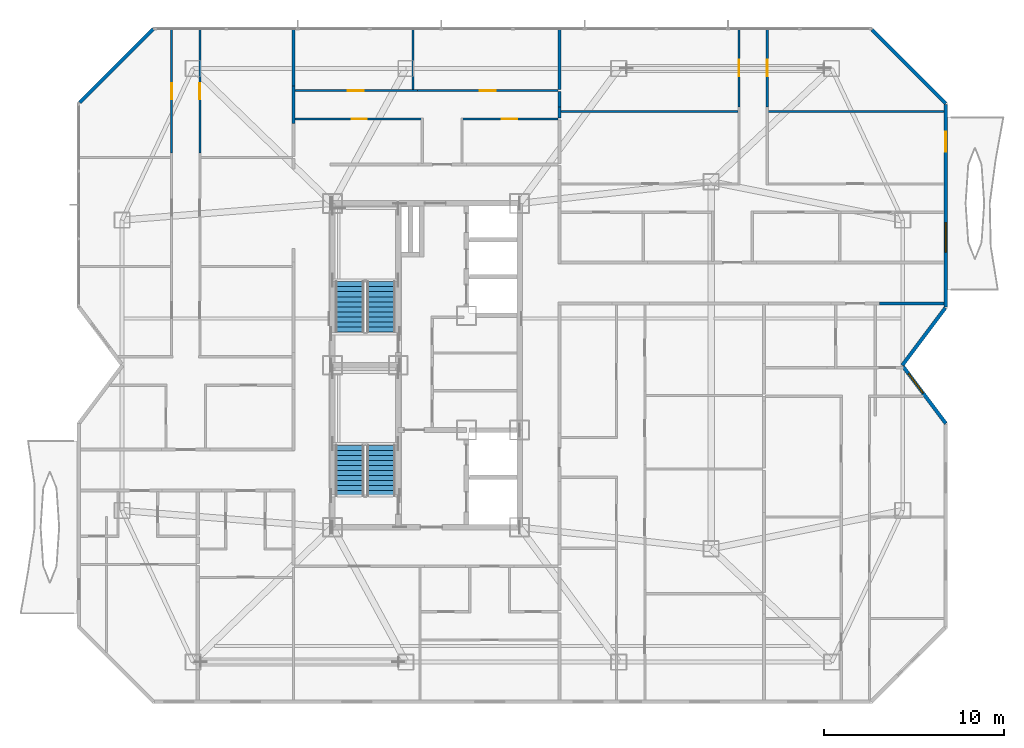
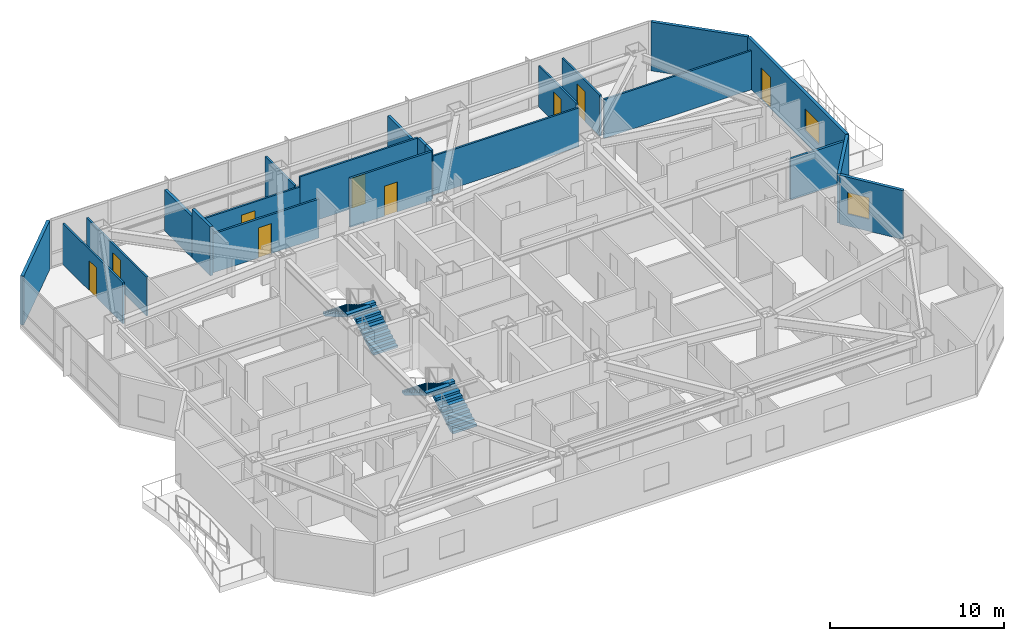
# One storey, part 19 of 21: 22 walls, 9 doors, 4 stair flights, 2 windows, 11 openings, 2 elements without a shape of their own.
"""IFC4 building model written with IfcOpenShell, lengths in metres."""

from ifc_helpers import new_model, si_unit, direction, frame, frame_2d, origin, place, context, subcontext, project, spatial, polyline, rectangle, outline, extrude, material, layer, layer_set, type_object, element, fill, aggregate, save


model = new_model("IFC4")

# Units and contexts
model_context = context("Model", 3, precision=1e-05, world=origin(), true_north=direction((0.0, 1.0)))
body_context = subcontext(model_context, "Body", "Model", "MODEL_VIEW")
ifc_project = project(units=[si_unit("LENGTHUNIT", "METRE"), si_unit("AREAUNIT", "SQUARE_METRE"), si_unit("VOLUMEUNIT", "CUBIC_METRE"), si_unit("PLANEANGLEUNIT", "RADIAN"), si_unit("MASSUNIT", "GRAM", prefix="KILO")], contexts=[model_context])

# Site, building, storey
site_placement = place(None, origin())
site = spatial("IfcSite", under=ifc_project, at=site_placement, CompositionType="ELEMENT")
building_placement = place(site_placement, origin())
building = spatial("IfcBuilding", under=site, at=building_placement, Name="Khamvora Tower", CompositionType="ELEMENT")
storey_placement = place(building_placement, frame((0.0, 0.0, 159.550048828125)))
storey = spatial("IfcBuildingStorey", under=building, at=storey_placement, Name="L40", CompositionType="ELEMENT", Elevation=159.550048828125)

# Walls
ifc_material_1 = material(Name="Fire-Rated Drywall and Steel Stud", Category="steel")
ifc_layer_1 = layer(ifc_material_1, 0.14990234375)
ifc_layer_set_1 = layer_set([ifc_layer_1], Name="Fire-Rated Drywall and Steel Stud")
wall_type_1 = type_object("IfcWallType", Name="WAL-CORR-150", PredefinedType="STANDARD", material=ifc_layer_set_1)
wall_1_placement = place(storey_placement, frame((63.008056640625, 31.43505859375, 0.0), z_axis=(0.0, 0.0, 1.0), x_axis=(-1.0, 0.0, 0.0)))
element("IfcWall", 1, at=wall_1_placement, inside=storey, type_object=wall_type_1, Name="L40 interior partition wall 036", PredefinedType="STANDARD", context=body_context, shape_type="SweptSolid", body=[
    extrude(rectangle(XDim=3.589111328125, YDim=0.14990234375, at=frame_2d((1.79443359375, 0.0))), origin(), (0.0, 0.0, 1.0), 2.8759765625),
])
ifc_material_2 = material(Name="Acoustic Double-Stud Fire Wall", Category="gypsum")
ifc_layer_2 = layer(ifc_material_2, 0.179931640625)
ifc_layer_set_2 = layer_set([ifc_layer_2], Name="Acoustic Double-Stud Fire Wall")
wall_type_2 = type_object("IfcWallType", Name="WAL-CORR-180", PredefinedType="STANDARD", material=ifc_layer_set_2)
wall_2_placement = place(storey_placement, frame((26.8349609375, 43.52392578125, 0.0), z_axis=(0.0, 0.0, 1.0), x_axis=(0.0, -1.0, 0.0)))
element("IfcWall", 2, at=wall_2_placement, inside=storey, type_object=wall_type_2, Name="L40 interior partition wall 084", PredefinedType="STANDARD", context=body_context, shape_type="SweptSolid", body=[
    extrude(rectangle(XDim=2.077880859375, YDim=0.179931640625, at=frame_2d((1.0390625, 0.0))), origin(), (0.0, 0.0, 1.0), 3.429931640625),
])
wall_3_placement = place(storey_placement, frame((26.8349609375, 46.68994140625, 0.0), z_axis=(0.0, 0.0, 1.0), x_axis=(0.0, -1.0, 0.0)))
element("IfcWall", 3, at=wall_3_placement, inside=storey, type_object=wall_type_2, Name="L40 interior partition wall 086", PredefinedType="STANDARD", context=body_context, shape_type="SweptSolid", body=[
    extrude(rectangle(XDim=3.166015625, YDim=0.179931640625, at=frame_2d((1.5830078125, 0.0))), origin(), (0.0, 0.0, 1.0), 2.8759765625),
])
wall_4_placement = place(storey_placement, frame((41.614990234375, 42.367919921875, 0.0), z_axis=(0.0, 0.0, 1.0), x_axis=(0.0, -1.0, 0.0)))
element("IfcWall", 4, at=wall_4_placement, inside=storey, type_object=wall_type_2, Name="L40 interior partition wall 101", PredefinedType="STANDARD", context=body_context, shape_type="SweptSolid", body=[
    extrude(rectangle(XDim=0.60791015625, YDim=0.179931640625, at=frame_2d((0.303955078125, 0.0))), origin(), (0.0, 0.0, 1.0), 3.429931640625),
])
wall_5_placement = place(storey_placement, frame((41.614990234375, 43.2099609375, 0.0), z_axis=(0.0, 0.0, 1.0), x_axis=(0.0, -1.0, 0.0)))
element("IfcWall", 5, at=wall_5_placement, inside=storey, type_object=wall_type_2, Name="L40 interior partition wall 102", PredefinedType="STANDARD", context=body_context, shape_type="SweptSolid", body=[
    extrude(rectangle(XDim=0.842041015625, YDim=0.179931640625, at=frame_2d((0.4208984375, 0.0))), origin(), (0.0, 0.0, 1.0), 3.429931640625),
])
wall_6_placement = place(storey_placement, frame((41.614990234375, 46.68994140625, 0.0), z_axis=(0.0, 0.0, 1.0), x_axis=(0.0, -1.0, 0.0)))
element("IfcWall", 6, at=wall_6_placement, inside=storey, type_object=wall_type_2, Name="L40 interior partition wall 105", PredefinedType="STANDARD", context=body_context, shape_type="SweptSolid", body=[
    extrude(rectangle(XDim=3.349853515625, YDim=0.179931640625, at=frame_2d((1.6748046875, 0.0))), origin(), (0.0, 0.0, 1.0), 2.8759765625),
])
ifc_material_3 = material(Name="Precast concrete C40/50", Category="concrete")
ifc_layer_3 = layer(ifc_material_3, 0.199951171875)
ifc_layer_set_3 = layer_set([ifc_layer_3], Name="Precast concrete C40/50")
wall_type_3 = type_object("IfcWallType", Name="WAL-EXT-200", PredefinedType="STANDARD", material=ifc_layer_set_3)
wall_7_placement = place(storey_placement, frame((14.945068359375, 42.60400390625, 0.0), z_axis=(0.0, 0.0, 1.0), x_axis=(0.707106781187, 0.707106781187, 0.0)))
element("IfcWall", 7, at=wall_7_placement, inside=storey, type_object=wall_type_3, Name="L40 exterior facade wall 06.1", PredefinedType="STANDARD", context=body_context, shape_type="SweptSolid", body=[
    extrude(rectangle(XDim=5.79248046875, YDim=0.199951171875, at=frame_2d((2.896240234375, 0.0))), origin(), (0.0, 0.0, 1.0), 3.429931640625),
])
wall_8_placement = place(storey_placement, frame((59.0029296875, 46.656005859375, 0.0), z_axis=(0.0, 0.0, 1.0), x_axis=(0.707127848917, -0.707085712828, 0.0)))
element("IfcWall", 8, at=wall_8_placement, inside=storey, type_object=wall_type_3, Name="L40 exterior facade wall 08.1", PredefinedType="STANDARD", context=body_context, shape_type="SweptSolid", body=[
    extrude(rectangle(XDim=5.794189453125, YDim=0.199951171875, at=frame_2d((2.89697265625, 0.0))), origin(), (0.0, 0.0, 1.0), 3.429931640625),
])

# Wall, openings, door, window
wall_9_placement = place(storey_placement, frame((63.10009765625, 42.49609375, 0.0), z_axis=(0.0, 0.0, 1.0), x_axis=(0.0, -1.0, 0.0)))
wall_9 = element("IfcWall", 9, at=wall_9_placement, inside=storey, type_object=wall_type_3, Name="L40 exterior facade wall 09.1", PredefinedType="STANDARD", context=body_context, shape_type="SweptSolid", body=[
    extrude(rectangle(XDim=11.26318359375, YDim=0.199951171875, at=frame_2d((5.631591796875, 0.0))), origin(), (0.0, 0.0, 1.0), 3.429931640625),
])
opening_1_placement = place(wall_9_placement, frame((1.52490234375, 0.0, 0.0)))
opening_1 = element("IfcOpeningElement", 10, at=opening_1_placement, cuts=wall_9, Name="Opening BD-01", PredefinedType="OPENING", context=body_context, shape_type="SweptSolid", body=[
    extrude(rectangle(XDim=1.10009765625, YDim=2.199951171875, at=frame_2d((0.550048828125, 1.10009765625))), frame((0.0, 0.10986328125, 0.0), z_axis=(0.0, -1.0, 0.0), x_axis=(1.0, 0.0, 0.0)), (0.0, 0.0, 1.0), 0.219970703125),
])
opening_2_placement = place(wall_9_placement, frame((6.55908203125, 0.0, 0.85009765625)))
opening_2 = element("IfcOpeningElement", 11, at=opening_2_placement, cuts=wall_9, Name="Opening WN-06", PredefinedType="OPENING", context=body_context, shape_type="SweptSolid", body=[
    extrude(rectangle(XDim=1.64990234375, YDim=1.550048828125, at=frame_2d((0.824951171875, 0.77490234375))), frame((0.0, 0.10986328125, 0.0), z_axis=(0.0, -1.0, 0.0), x_axis=(1.0, 0.0, 0.0)), (0.0, 0.0, 1.0), 0.219970703125),
])
ifc_material_4 = material(Name="Anodised Aluminium and Laminated Safety Glass", Category="aluminium")
door_type_1 = type_object("IfcDoorType", Name="DOR-BAL-1100", OperationType="NOTDEFINED", PredefinedType="DOOR", material=ifc_material_4)
door_1_placement = place(opening_1_placement, origin())
door_1 = element("IfcDoor", 12, at=door_1_placement, inside=storey, type_object=door_type_1, Name="L40 lens gallery balcony door EL2", OperationType="SLIDING_TO_LEFT", OverallHeight=2.199951171875, OverallWidth=1.10009765625, PredefinedType="DOOR", context=body_context, shape_type="SweptSolid", body=[
    extrude(rectangle(XDim=1.10009765625, YDim=2.199951171875, at=frame_2d((0.550048828125, 1.10009765625))), frame((0.0, 0.02490234375, 0.0), z_axis=(0.0, -1.0, 0.0), x_axis=(1.0, 0.0, 0.0)), (0.0, 0.0, 1.0), 0.050048828125),
])
fill(opening_1, door_1)
ifc_material_5 = material(Name="Low-E Laminated Double Glazing", Category="glass")
window_type_1 = type_object("IfcWindowType", Name="WIN-VIS-1650x1550", PartitioningType="SINGLE_PANEL", PredefinedType="WINDOW", material=ifc_material_5)
window_1_placement = place(opening_2_placement, origin())
window_1 = element("IfcWindow", 13, at=window_1_placement, inside=storey, type_object=window_type_1, Name="L40 vision window 09.1.01", OverallHeight=1.550048828125, OverallWidth=1.64990234375, PartitioningType="SINGLE_PANEL", PredefinedType="WINDOW", context=body_context, shape_type="SweptSolid", body=[
    extrude(rectangle(XDim=1.64990234375, YDim=1.550048828125, at=frame_2d((0.824951171875, 0.77490234375))), frame((0.0, 0.030029296875, 0.0), z_axis=(0.0, -1.0, 0.0), x_axis=(1.0, 0.0, 0.0)), (0.0, 0.0, 1.0), 0.06005859375),
])
fill(opening_2, window_1)

# Wall
wall_10_placement = place(storey_placement, frame((63.069091796875, 31.19091796875, 0.0), z_axis=(0.0, 0.0, 1.0), x_axis=(-0.600137081448, -0.799897170561, 0.0)))
element("IfcWall", 14, at=wall_10_placement, inside=storey, type_object=wall_type_3, Name="L40 exterior facade wall 10.1", PredefinedType="STANDARD", context=body_context, shape_type="SweptSolid", body=[
    extrude(rectangle(XDim=3.9892578125, YDim=0.199951171875, at=frame_2d((1.99462890625, 0.0))), origin(), (0.0, 0.0, 1.0), 3.429931640625),
])

# Wall, opening, window
wall_11_placement = place(storey_placement, frame((60.72705078125, 27.930908203125, 0.0), z_axis=(0.0, 0.0, 1.0), x_axis=(0.600029630681, -0.799977776132, 0.0)))
wall_11 = element("IfcWall", 15, at=wall_11_placement, inside=storey, type_object=wall_type_3, Name="L40 exterior facade wall 11.1", PredefinedType="STANDARD", context=body_context, shape_type="SweptSolid", body=[
    extrude(rectangle(XDim=3.954833984375, YDim=0.199951171875, at=frame_2d((1.9775390625, 0.0))), origin(), (0.0, 0.0, 1.0), 3.429931640625),
])
opening_3_placement = place(wall_11_placement, frame((0.489990234375, 0.0, 0.85009765625)))
opening_3 = element("IfcOpeningElement", 16, at=opening_3_placement, cuts=wall_11, Name="Opening WN-07", PredefinedType="OPENING", context=body_context, shape_type="SweptSolid", body=[
    extrude(rectangle(XDim=1.35009765625, YDim=1.5, at=frame_2d((0.675048828125, 0.75))), frame((0.0, 0.10986328125, 0.0), z_axis=(0.0, -1.0, 0.0), x_axis=(1.0, 0.0, 0.0)), (0.0, 0.0, 1.0), 0.219970703125),
])
window_type_2 = type_object("IfcWindowType", Name="WIN-VIS-1350x1500", PartitioningType="SINGLE_PANEL", PredefinedType="WINDOW", material=ifc_material_5)
window_2_placement = place(opening_3_placement, origin())
window_2 = element("IfcWindow", 17, at=window_2_placement, inside=storey, type_object=window_type_2, Name="L40 vision window 11.1.01", OverallHeight=1.5, OverallWidth=1.35009765625, PartitioningType="SINGLE_PANEL", PredefinedType="WINDOW", context=body_context, shape_type="SweptSolid", body=[
    extrude(rectangle(XDim=1.35009765625, YDim=1.5, at=frame_2d((0.675048828125, 0.75))), frame((0.0, 0.030029296875, 0.0), z_axis=(0.0, -1.0, 0.0), x_axis=(1.0, 0.0, 0.0)), (0.0, 0.0, 1.0), 0.06005859375),
])
fill(opening_3, window_2)

# Wall, opening, door
ifc_material_6 = material(Name="Gypsum Plasterboard Partition", Category="gypsum")
ifc_layer_4 = layer(ifc_material_6, 0.1201171875)
ifc_layer_set_4 = layer_set([ifc_layer_4], Name="Gypsum Plasterboard Partition")
wall_type_4 = type_object("IfcWallType", Name="WAL-PART-120", PredefinedType="PARTITIONING", material=ifc_layer_set_4)
wall_12_placement = place(storey_placement, frame((20.054931640625, 39.798095703125, 0.0), z_axis=(0.0, 0.0, 1.0), x_axis=(0.0, 1.0, 0.0)))
wall_12 = element("IfcWall", 18, at=wall_12_placement, inside=storey, type_object=wall_type_4, Name="L40 interior partition wall 074", PredefinedType="PARTITIONING", context=body_context, shape_type="SweptSolid", body=[
    extrude(rectangle(XDim=6.891845703125, YDim=0.1201171875, at=frame_2d((3.44580078125, 0.0))), origin(), (0.0, 0.0, 1.0), 2.8759765625),
])
opening_4_placement = place(wall_12_placement, frame((2.99609375, 0.0, 0.0)))
opening_4 = element("IfcOpeningElement", 19, at=opening_4_placement, cuts=wall_12, Name="Opening D-RM1", PredefinedType="OPENING", context=body_context, shape_type="SweptSolid", body=[
    extrude(rectangle(XDim=0.89990234375, YDim=2.10009765625, at=frame_2d((0.449951171875, 1.050048828125))), frame((0.0, 0.070068359375, 0.0), z_axis=(0.0, -1.0, 0.0), x_axis=(1.0, 0.0, 0.0)), (0.0, 0.0, 1.0), 0.14013671875),
])
ifc_material_7 = material(Name="Powder-Coated Steel and Hardwood Leaf", Category="steel")
door_type_2 = type_object("IfcDoorType", Name="DOR-ROOM-900", OperationType="NOTDEFINED", PredefinedType="DOOR", material=ifc_material_7)
door_2_placement = place(opening_4_placement, origin())
door_2 = element("IfcDoor", 20, at=door_2_placement, inside=storey, type_object=door_type_2, Name="L40 interior door 40WCH-40WCR3", OperationType="SINGLE_SWING_LEFT", OverallHeight=2.10009765625, OverallWidth=0.89990234375, PredefinedType="DOOR", context=body_context, shape_type="SweptSolid", body=[
    extrude(rectangle(XDim=0.89990234375, YDim=2.10009765625, at=frame_2d((0.449951171875, 1.050048828125))), frame((0.0, 0.02490234375, 0.0), z_axis=(0.0, -1.0, 0.0), x_axis=(1.0, 0.0, 0.0)), (0.0, 0.0, 1.0), 0.050048828125),
])
fill(opening_4, door_2)

wall_13_placement = place(storey_placement, frame((21.625, 46.68994140625, 0.0), z_axis=(0.0, 0.0, 1.0), x_axis=(0.0, -1.0, 0.0)))
wall_13 = element("IfcWall", 21, at=wall_13_placement, inside=storey, type_object=wall_type_4, Name="L40 interior partition wall 078", PredefinedType="PARTITIONING", context=body_context, shape_type="SweptSolid", body=[
    extrude(rectangle(XDim=6.891845703125, YDim=0.1201171875, at=frame_2d((3.44580078125, 0.0))), origin(), (0.0, 0.0, 1.0), 2.724853515625),
])
opening_5_placement = place(wall_13_placement, frame((2.99609375, 0.0, 0.0)))
opening_5 = element("IfcOpeningElement", 22, at=opening_5_placement, cuts=wall_13, Name="Opening D-RM1", PredefinedType="OPENING", context=body_context, shape_type="SweptSolid", body=[
    extrude(rectangle(XDim=0.89990234375, YDim=2.10009765625, at=frame_2d((0.449951171875, 1.050048828125))), frame((0.0, 0.070068359375, 0.0), z_axis=(0.0, -1.0, 0.0), x_axis=(1.0, 0.0, 0.0)), (0.0, 0.0, 1.0), 0.14013671875),
])
door_3_placement = place(opening_5_placement, origin())
door_3 = element("IfcDoor", 23, at=door_3_placement, inside=storey, type_object=door_type_2, Name="L40 interior door 40WCH-40WCR6", OperationType="SINGLE_SWING_RIGHT", OverallHeight=2.10009765625, OverallWidth=0.89990234375, PredefinedType="DOOR", context=body_context, shape_type="SweptSolid", body=[
    extrude(rectangle(XDim=0.89990234375, YDim=2.10009765625, at=frame_2d((0.449951171875, 1.050048828125))), frame((0.0, 0.02490234375, 0.0), z_axis=(0.0, -1.0, 0.0), x_axis=(1.0, 0.0, 0.0)), (0.0, 0.0, 1.0), 0.050048828125),
])
fill(opening_5, door_3)

wall_14_placement = place(storey_placement, frame((26.9169921875, 43.27490234375, 0.0), z_axis=(0.0, 0.0, 1.0), x_axis=(1.0, 0.0, 0.0)))
wall_14 = element("IfcWall", 24, at=wall_14_placement, inside=storey, type_object=wall_type_4, Name="L40 interior partition wall 099", PredefinedType="PARTITIONING", context=body_context, shape_type="SweptSolid", body=[
    extrude(rectangle(XDim=6.802001953125, YDim=0.1201171875, at=frame_2d((3.40087890625, 0.0))), origin(), (0.0, 0.0, 1.0), 2.724853515625),
])
opening_6_placement = place(wall_14_placement, frame((2.929931640625, 0.0, 0.0)))
opening_6 = element("IfcOpeningElement", 25, at=opening_6_placement, cuts=wall_14, Name="Opening D-RM1", PredefinedType="OPENING", context=body_context, shape_type="SweptSolid", body=[
    extrude(rectangle(XDim=0.89990234375, YDim=2.10009765625, at=frame_2d((0.449951171875, 1.050048828125))), frame((0.0, 0.070068359375, 0.0), z_axis=(0.0, -1.0, 0.0), x_axis=(1.0, 0.0, 0.0)), (0.0, 0.0, 1.0), 0.14013671875),
])
door_4_placement = place(opening_6_placement, origin())
door_4 = element("IfcDoor", 26, at=door_4_placement, inside=storey, type_object=door_type_2, Name="L40 interior door 40NAH-40NAL", OperationType="SINGLE_SWING_RIGHT", OverallHeight=2.10009765625, OverallWidth=0.89990234375, PredefinedType="DOOR", context=body_context, shape_type="SweptSolid", body=[
    extrude(rectangle(XDim=0.89990234375, YDim=2.10009765625, at=frame_2d((0.449951171875, 1.050048828125))), frame((0.0, 0.02490234375, 0.0), z_axis=(0.0, -1.0, 0.0), x_axis=(1.0, 0.0, 0.0)), (0.0, 0.0, 1.0), 0.050048828125),
])
fill(opening_6, door_4)

wall_15_placement = place(storey_placement, frame((33.718994140625, 43.27490234375, 0.0), z_axis=(0.0, 0.0, 1.0), x_axis=(1.0, 0.0, 0.0)))
wall_15 = element("IfcWall", 27, at=wall_15_placement, inside=storey, type_object=wall_type_4, Name="L40 interior partition wall 100", PredefinedType="PARTITIONING", context=body_context, shape_type="SweptSolid", body=[
    extrude(rectangle(XDim=7.8310546875, YDim=0.1201171875, at=frame_2d((3.91552734375, 0.0))), origin(), (0.0, 0.0, 1.0), 3.429931640625),
])
opening_7_placement = place(wall_15_placement, frame((3.466064453125, 0.0, 0.0)))
opening_7 = element("IfcOpeningElement", 28, at=opening_7_placement, cuts=wall_15, Name="Opening D-RM1", PredefinedType="OPENING", context=body_context, shape_type="SweptSolid", body=[
    extrude(rectangle(XDim=0.89990234375, YDim=2.10009765625, at=frame_2d((0.449951171875, 1.050048828125))), frame((0.0, 0.070068359375, 0.0), z_axis=(0.0, -1.0, 0.0), x_axis=(1.0, 0.0, 0.0)), (0.0, 0.0, 1.0), 0.14013671875),
])
door_5_placement = place(opening_7_placement, origin())
door_5 = element("IfcDoor", 29, at=door_5_placement, inside=storey, type_object=door_type_2, Name="L40 interior door 40NAH-40NAR2", OperationType="SINGLE_SWING_LEFT", OverallHeight=2.10009765625, OverallWidth=0.89990234375, PredefinedType="DOOR", context=body_context, shape_type="SweptSolid", body=[
    extrude(rectangle(XDim=0.89990234375, YDim=2.10009765625, at=frame_2d((0.449951171875, 1.050048828125))), frame((0.0, 0.02490234375, 0.0), z_axis=(0.0, -1.0, 0.0), x_axis=(1.0, 0.0, 0.0)), (0.0, 0.0, 1.0), 0.050048828125),
])
fill(opening_7, door_5)

# Wall
wall_16_placement = place(storey_placement, frame((33.469970703125, 46.68994140625, 0.0), z_axis=(0.0, 0.0, 1.0), x_axis=(0.0, -1.0, 0.0)))
element("IfcWall", 30, at=wall_16_placement, inside=storey, type_object=wall_type_4, Name="L40 interior partition wall 104", PredefinedType="PARTITIONING", context=body_context, shape_type="SweptSolid", body=[
    extrude(rectangle(XDim=3.36083984375, YDim=0.1201171875, at=frame_2d((1.680419921875, 0.0))), origin(), (0.0, 0.0, 1.0), 2.8759765625),
])

# Wall, opening, door
wall_17_placement = place(storey_placement, frame((51.60009765625, 42.367919921875, 0.0), z_axis=(0.0, 0.0, 1.0), x_axis=(0.0, 1.0, 0.0)))
wall_17 = element("IfcWall", 31, at=wall_17_placement, inside=storey, type_object=wall_type_4, Name="L40 interior partition wall 153", PredefinedType="PARTITIONING", context=body_context, shape_type="SweptSolid", body=[
    extrude(rectangle(XDim=4.322021484375, YDim=0.1201171875, at=frame_2d((2.1611328125, 0.0))), origin(), (0.0, 0.0, 1.0), 2.8759765625),
])
opening_8_placement = place(wall_17_placement, frame((1.7109375, 0.0, 0.0)))
opening_8 = element("IfcOpeningElement", 32, at=opening_8_placement, cuts=wall_17, Name="Opening D-RM1", PredefinedType="OPENING", context=body_context, shape_type="SweptSolid", body=[
    extrude(rectangle(XDim=0.89990234375, YDim=2.10009765625, at=frame_2d((0.449951171875, 1.050048828125))), frame((0.0, 0.070068359375, 0.0), z_axis=(0.0, -1.0, 0.0), x_axis=(1.0, 0.0, 0.0)), (0.0, 0.0, 1.0), 0.14013671875),
])
door_6_placement = place(opening_8_placement, origin())
door_6 = element("IfcDoor", 33, at=door_6_placement, inside=storey, type_object=door_type_2, Name="L40 interior door 40ECH-40ECR2", OperationType="SINGLE_SWING_LEFT", OverallHeight=2.10009765625, OverallWidth=0.89990234375, PredefinedType="DOOR", context=body_context, shape_type="SweptSolid", body=[
    extrude(rectangle(XDim=0.89990234375, YDim=2.10009765625, at=frame_2d((0.449951171875, 1.050048828125))), frame((0.0, 0.02490234375, 0.0), z_axis=(0.0, -1.0, 0.0), x_axis=(1.0, 0.0, 0.0)), (0.0, 0.0, 1.0), 0.050048828125),
])
fill(opening_8, door_6)

wall_18_placement = place(storey_placement, frame((53.169921875, 46.68994140625, 0.0), z_axis=(0.0, 0.0, 1.0), x_axis=(0.0, -1.0, 0.0)))
wall_18 = element("IfcWall", 34, at=wall_18_placement, inside=storey, type_object=wall_type_4, Name="L40 interior partition wall 156", PredefinedType="PARTITIONING", context=body_context, shape_type="SweptSolid", body=[
    extrude(rectangle(XDim=4.322021484375, YDim=0.1201171875, at=frame_2d((2.1611328125, 0.0))), origin(), (0.0, 0.0, 1.0), 2.8759765625),
])
opening_9_placement = place(wall_18_placement, frame((1.7109375, 0.0, 0.0)))
opening_9 = element("IfcOpeningElement", 35, at=opening_9_placement, cuts=wall_18, Name="Opening D-RM1", PredefinedType="OPENING", context=body_context, shape_type="SweptSolid", body=[
    extrude(rectangle(XDim=0.89990234375, YDim=2.10009765625, at=frame_2d((0.449951171875, 1.050048828125))), frame((0.0, 0.070068359375, 0.0), z_axis=(0.0, -1.0, 0.0), x_axis=(1.0, 0.0, 0.0)), (0.0, 0.0, 1.0), 0.14013671875),
])
door_7_placement = place(opening_9_placement, origin())
door_7 = element("IfcDoor", 36, at=door_7_placement, inside=storey, type_object=door_type_2, Name="L40 interior door 40ECH-40ECR4", OperationType="SINGLE_SWING_LEFT", OverallHeight=2.10009765625, OverallWidth=0.89990234375, PredefinedType="DOOR", context=body_context, shape_type="SweptSolid", body=[
    extrude(rectangle(XDim=0.89990234375, YDim=2.10009765625, at=frame_2d((0.449951171875, 1.050048828125))), frame((0.0, 0.02490234375, 0.0), z_axis=(0.0, -1.0, 0.0), x_axis=(1.0, 0.0, 0.0)), (0.0, 0.0, 1.0), 0.050048828125),
])
fill(opening_9, door_7)

# Walls
wall_19_placement = place(storey_placement, frame((41.697021484375, 42.118896484375, 0.0), z_axis=(0.0, 0.0, 1.0), x_axis=(1.0, 0.0, 0.0)))
element("IfcWall", 37, at=wall_19_placement, inside=storey, type_object=wall_type_4, Name="L40 interior partition wall 157", PredefinedType="PARTITIONING", context=body_context, shape_type="SweptSolid", body=[
    extrude(rectangle(XDim=9.848876953125, YDim=0.1201171875, at=frame_2d((4.92431640625, 0.0))), origin(), (0.0, 0.0, 1.0), 2.724853515625),
])
wall_20_placement = place(storey_placement, frame((53.22412109375, 42.118896484375, 0.0), z_axis=(0.0, 0.0, 1.0), x_axis=(1.0, 0.0, 0.0)))
element("IfcWall", 38, at=wall_20_placement, inside=storey, type_object=wall_type_4, Name="L40 interior partition wall 158", PredefinedType="PARTITIONING", context=body_context, shape_type="SweptSolid", body=[
    extrude(rectangle(XDim=9.783935546875, YDim=0.1201171875, at=frame_2d((4.89208984375, 0.0))), origin(), (0.0, 0.0, 1.0), 2.724853515625),
])

# Wall, opening, door
ifc_material_8 = material(Name="Moisture-Resistant Plasterboard Partition", Category="gypsum")
ifc_layer_5 = layer(ifc_material_8, 0.135009765625)
ifc_layer_set_5 = layer_set([ifc_layer_5], Name="Moisture-Resistant Plasterboard Partition")
wall_type_5 = type_object("IfcWallType", Name="WAL-WET-135", PredefinedType="PARTITIONING", material=ifc_layer_set_5)
wall_21_placement = place(storey_placement, frame((41.550048828125, 41.695068359375, 0.0), z_axis=(0.0, 0.0, 1.0), x_axis=(-1.0, 0.0, 0.0)))
wall_21 = element("IfcWall", 39, at=wall_21_placement, inside=storey, type_object=wall_type_5, Name="L40 interior partition wall 095", PredefinedType="PARTITIONING", context=body_context, shape_type="SweptSolid", body=[
    extrude(rectangle(XDim=5.416015625, YDim=0.135009765625, at=frame_2d((2.7080078125, 0.0))), origin(), (0.0, 0.0, 1.0), 3.429931640625),
])
opening_10_placement = place(wall_21_placement, frame((2.282958984375, 0.0, 0.0)))
opening_10 = element("IfcOpeningElement", 40, at=opening_10_placement, cuts=wall_21, Name="Opening D-WC1", PredefinedType="OPENING", context=body_context, shape_type="SweptSolid", body=[
    extrude(rectangle(XDim=0.85009765625, YDim=2.10009765625, at=frame_2d((0.425048828125, 1.050048828125))), frame((0.0, 0.077392578125, 0.0), z_axis=(0.0, -1.0, 0.0), x_axis=(1.0, 0.0, 0.0)), (0.0, 0.0, 1.0), 0.155029296875),
])
door_type_3 = type_object("IfcDoorType", Name="DOR-WET-850", OperationType="NOTDEFINED", PredefinedType="DOOR", material=ifc_material_7)
door_8_placement = place(opening_10_placement, origin())
door_8 = element("IfcDoor", 41, at=door_8_placement, inside=storey, type_object=door_type_3, Name="L40 interior door 40NAH-40NAB", OperationType="SINGLE_SWING_RIGHT", OverallHeight=2.10009765625, OverallWidth=0.85009765625, PredefinedType="DOOR", context=body_context, shape_type="SweptSolid", body=[
    extrude(rectangle(XDim=0.85009765625, YDim=2.10009765625, at=frame_2d((0.425048828125, 1.050048828125))), frame((0.0, 0.02490234375, 0.0), z_axis=(0.0, -1.0, 0.0), x_axis=(1.0, 0.0, 0.0)), (0.0, 0.0, 1.0), 0.050048828125),
])
fill(opening_10, door_8)

wall_22_placement = place(storey_placement, frame((34.06396484375, 41.695068359375, 0.0), z_axis=(0.0, 0.0, 1.0), x_axis=(-1.0, 0.0, 0.0)))
wall_22 = element("IfcWall", 42, at=wall_22_placement, inside=storey, type_object=wall_type_5, Name="L40 interior partition wall 098", PredefinedType="PARTITIONING", context=body_context, shape_type="SweptSolid", body=[
    extrude(rectangle(XDim=7.14697265625, YDim=0.135009765625, at=frame_2d((3.573486328125, 0.0))), origin(), (0.0, 0.0, 1.0), 2.724853515625),
])
opening_11_placement = place(wall_22_placement, frame((3.14892578125, 0.0, 0.0)))
opening_11 = element("IfcOpeningElement", 43, at=opening_11_placement, cuts=wall_22, Name="Opening D-RM2", PredefinedType="OPENING", context=body_context, shape_type="SweptSolid", body=[
    extrude(rectangle(XDim=0.85009765625, YDim=2.10009765625, at=frame_2d((0.425048828125, 1.050048828125))), frame((0.0, 0.077392578125, 0.0), z_axis=(0.0, -1.0, 0.0), x_axis=(1.0, 0.0, 0.0)), (0.0, 0.0, 1.0), 0.155029296875),
])
door_type_4 = type_object("IfcDoorType", Name="DOR-ROOM-850", OperationType="NOTDEFINED", PredefinedType="DOOR", material=ifc_material_7)
door_9_placement = place(opening_11_placement, origin())
door_9 = element("IfcDoor", 44, at=door_9_placement, inside=storey, type_object=door_type_4, Name="L40 interior door 40NAH-40NAK", OperationType="SINGLE_SWING_LEFT", OverallHeight=2.10009765625, OverallWidth=0.85009765625, PredefinedType="DOOR", context=body_context, shape_type="SweptSolid", body=[
    extrude(rectangle(XDim=0.85009765625, YDim=2.10009765625, at=frame_2d((0.425048828125, 1.050048828125))), frame((0.0, 0.02490234375, 0.0), z_axis=(0.0, -1.0, 0.0), x_axis=(1.0, 0.0, 0.0)), (0.0, 0.0, 1.0), 0.050048828125),
])
fill(opening_11, door_9)

# Stair, stair flights
ifc_material_9 = material(Name="Concrete C40/50", Category="concrete")
stair_type_1 = type_object("IfcStairType", Name="STR-ST-01", PredefinedType="HALF_TURN_STAIR", material=ifc_material_9)
stair_1_placement = place(storey_placement, origin())
stair_1 = element("IfcStair", 45, at=stair_1_placement, inside=storey, type_object=stair_type_1, Name="L40 South Tower Exit Stair ST-01", PredefinedType="HALF_TURN_STAIR")
stair_flight_type_1 = type_object("IfcStairFlightType", Name="STF-ST-01", PredefinedType="STRAIGHT", material=ifc_material_9)
stair_flight_1_placement = place(storey_placement, frame((31.699951171875, 20.75, 0.0), z_axis=(0.0, 0.0, 1.0), x_axis=(0.0, 1.0, 0.0)))
stair_flight_1 = element("IfcStairFlight", 46, at=stair_flight_1_placement, type_object=stair_flight_type_1, Name="ST-01 flight 1", NumberOfRisers=11, NumberOfTreads=10, PredefinedType="STRAIGHT", RiserHeight=0.165909091, TreadLength=0.28, context=body_context, shape_type="SweptSolid", body=[
    extrude(outline(polyline([(0.0, 0.0), (0.0, 0.166015625), (0.280029296875, 0.166015625), (0.280029296875, 0.331787109375), (0.56005859375, 0.331787109375), (0.56005859375, 0.497802734375), (0.840087890625, 0.497802734375), (0.840087890625, 0.66357421875), (1.1201171875, 0.66357421875), (1.1201171875, 0.82958984375), (1.39990234375, 0.82958984375), (1.39990234375, 0.995361328125), (1.679931640625, 0.995361328125), (1.679931640625, 1.161376953125), (1.9599609375, 1.161376953125), (1.9599609375, 1.327392578125), (2.239990234375, 1.327392578125), (2.239990234375, 1.4931640625), (2.52001953125, 1.4931640625), (2.52001953125, 1.6591796875), (2.800048828125, 1.6591796875), (2.800048828125, 1.824951171875), (2.800048828125, 1.48486328125), (0.2939453125, 0.0), (0.0, 0.0)])), frame((0.0, 0.800048828125, 0.0), z_axis=(0.0, -1.0, 0.0), x_axis=(1.0, 0.0, 0.0)), (0.0, 0.0, 1.0), 1.60009765625),
])
stair_flight_2_placement = place(storey_placement, frame((29.949951171875, 23.550048828125, 1.824951171875), z_axis=(0.0, 0.0, 1.0), x_axis=(0.0, -1.0, 0.0)))
stair_flight_2 = element("IfcStairFlight", 47, at=stair_flight_2_placement, type_object=stair_flight_type_1, Name="ST-01 flight 2", NumberOfRisers=11, NumberOfTreads=10, PredefinedType="STRAIGHT", RiserHeight=0.165909091, TreadLength=0.28, context=body_context, shape_type="SweptSolid", body=[
    extrude(outline(polyline([(0.0, 0.0), (0.0, 0.166015625), (0.280029296875, 0.166015625), (0.280029296875, 0.331787109375), (0.56005859375, 0.331787109375), (0.56005859375, 0.497802734375), (0.840087890625, 0.497802734375), (0.840087890625, 0.66357421875), (1.1201171875, 0.66357421875), (1.1201171875, 0.82958984375), (1.39990234375, 0.82958984375), (1.39990234375, 0.995361328125), (1.679931640625, 0.995361328125), (1.679931640625, 1.161376953125), (1.9599609375, 1.161376953125), (1.9599609375, 1.327392578125), (2.239990234375, 1.327392578125), (2.239990234375, 1.4931640625), (2.52001953125, 1.4931640625), (2.52001953125, 1.6591796875), (2.800048828125, 1.6591796875), (2.800048828125, 1.824951171875), (2.800048828125, 1.48486328125), (0.2939453125, 0.0), (0.0, 0.0)])), frame((0.0, 0.800048828125, 0.0), z_axis=(0.0, -1.0, 0.0), x_axis=(1.0, 0.0, 0.0)), (0.0, 0.0, 1.0), 1.60009765625),
])
aggregate(stair_1, [stair_flight_1, stair_flight_2])

stair_type_2 = type_object("IfcStairType", Name="STR-ST-02", PredefinedType="HALF_TURN_STAIR", material=ifc_material_9)
stair_2_placement = place(storey_placement, origin())
stair_2 = element("IfcStair", 48, at=stair_2_placement, inside=storey, type_object=stair_type_2, Name="L40 North Tower Exit Stair ST-02", PredefinedType="HALF_TURN_STAIR")
stair_flight_type_2 = type_object("IfcStairFlightType", Name="STF-ST-02", PredefinedType="STRAIGHT", material=ifc_material_9)
stair_flight_3_placement = place(storey_placement, frame((31.699951171875, 29.85009765625, 0.0), z_axis=(0.0, 0.0, 1.0), x_axis=(0.0, 1.0, 0.0)))
stair_flight_3 = element("IfcStairFlight", 49, at=stair_flight_3_placement, type_object=stair_flight_type_2, Name="ST-02 flight 1", NumberOfRisers=11, NumberOfTreads=10, PredefinedType="STRAIGHT", RiserHeight=0.165909091, TreadLength=0.28, context=body_context, shape_type="SweptSolid", body=[
    extrude(outline(polyline([(0.0, 0.0), (0.0, 0.166015625), (0.280029296875, 0.166015625), (0.280029296875, 0.331787109375), (0.56005859375, 0.331787109375), (0.56005859375, 0.497802734375), (0.840087890625, 0.497802734375), (0.840087890625, 0.66357421875), (1.1201171875, 0.66357421875), (1.1201171875, 0.82958984375), (1.39990234375, 0.82958984375), (1.39990234375, 0.995361328125), (1.679931640625, 0.995361328125), (1.679931640625, 1.161376953125), (1.9599609375, 1.161376953125), (1.9599609375, 1.327392578125), (2.239990234375, 1.327392578125), (2.239990234375, 1.4931640625), (2.52001953125, 1.4931640625), (2.52001953125, 1.6591796875), (2.800048828125, 1.6591796875), (2.800048828125, 1.824951171875), (2.800048828125, 1.48486328125), (0.2939453125, 0.0), (0.0, 0.0)])), frame((0.0, 0.800048828125, 0.0), z_axis=(0.0, -1.0, 0.0), x_axis=(1.0, 0.0, 0.0)), (0.0, 0.0, 1.0), 1.60009765625),
])
stair_flight_4_placement = place(storey_placement, frame((29.949951171875, 32.64990234375, 1.824951171875), z_axis=(0.0, 0.0, 1.0), x_axis=(0.0, -1.0, 0.0)))
stair_flight_4 = element("IfcStairFlight", 50, at=stair_flight_4_placement, type_object=stair_flight_type_2, Name="ST-02 flight 2", NumberOfRisers=11, NumberOfTreads=10, PredefinedType="STRAIGHT", RiserHeight=0.165909091, TreadLength=0.28, context=body_context, shape_type="SweptSolid", body=[
    extrude(outline(polyline([(0.0, 0.0), (0.0, 0.166015625), (0.280029296875, 0.166015625), (0.280029296875, 0.331787109375), (0.56005859375, 0.331787109375), (0.56005859375, 0.497802734375), (0.840087890625, 0.497802734375), (0.840087890625, 0.66357421875), (1.1201171875, 0.66357421875), (1.1201171875, 0.82958984375), (1.39990234375, 0.82958984375), (1.39990234375, 0.995361328125), (1.679931640625, 0.995361328125), (1.679931640625, 1.161376953125), (1.9599609375, 1.161376953125), (1.9599609375, 1.327392578125), (2.239990234375, 1.327392578125), (2.239990234375, 1.4931640625), (2.52001953125, 1.4931640625), (2.52001953125, 1.6591796875), (2.800048828125, 1.6591796875), (2.800048828125, 1.824951171875), (2.800048828125, 1.48486328125), (0.2939453125, 0.0), (0.0, 0.0)])), frame((0.0, 0.800048828125, 0.0), z_axis=(0.0, -1.0, 0.0), x_axis=(1.0, 0.0, 0.0)), (0.0, 0.0, 1.0), 1.60009765625),
])
aggregate(stair_2, [stair_flight_3, stair_flight_4])

save(model, "model.ifc")
